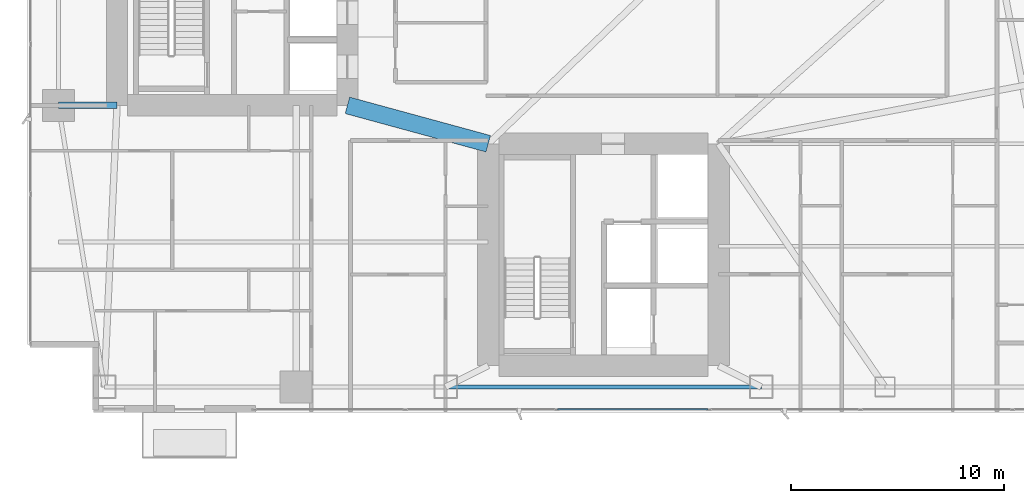
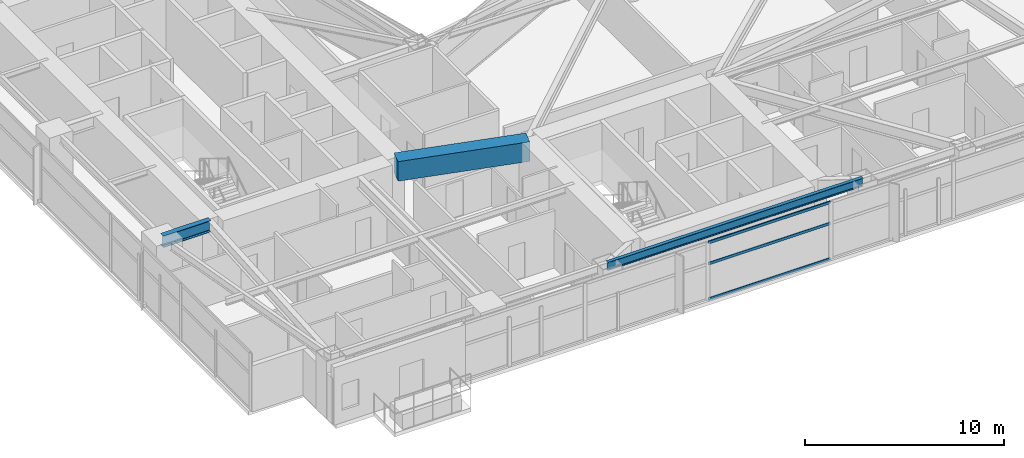
# One storey, part 6 of 28: 3 beams, 3 members, 1 element without a shape of its own.
"""IFC4 building model written with IfcOpenShell, lengths in metres."""

from ifc_helpers import new_model, si_unit, direction, frame, origin, origin_2d, place, context, subcontext, project, spatial, rectangle, hollow_rectangle, i_section, extrude, material, layer, layer_set, material_profile, profile_set, type_object, element, aggregate, save


model = new_model("IFC4")

# Units and contexts
model_context = context("Model", 3, precision=1e-05, world=origin(), true_north=direction((0.0, 1.0)))
body_context = subcontext(model_context, "Body", "Model", "MODEL_VIEW")
ifc_project = project(units=[si_unit("LENGTHUNIT", "METRE"), si_unit("AREAUNIT", "SQUARE_METRE"), si_unit("VOLUMEUNIT", "CUBIC_METRE"), si_unit("PLANEANGLEUNIT", "RADIAN"), si_unit("MASSUNIT", "GRAM", prefix="KILO")], contexts=[model_context])

# Site, building, storey
site_placement = place(None, origin())
site = spatial("IfcSite", under=ifc_project, at=site_placement, CompositionType="ELEMENT")
building_placement = place(site_placement, origin())
building = spatial("IfcBuilding", under=site, at=building_placement, Name="Calvorn Quay Hotel", CompositionType="ELEMENT")
storey_placement = place(building_placement, frame((0.0, 0.0, 88.800048828125)))
storey = spatial("IfcBuildingStorey", under=building, at=storey_placement, Name="L21", CompositionType="ELEMENT", Elevation=88.800048828125)

# Beams
ifc_material_1 = material(Name="Steel Q390GJC", Category="steel")
ifc_material_profile_1 = material_profile(ifc_material_1, i_section(OverallWidth=0.300048828125, OverallDepth=0.699951171875, WebThickness=0.012939453125, FlangeThickness=0.02392578125, FilletRadius=0.02392578125, at=origin_2d()), Name="HN700x300x13x24")
ifc_profile_set_1 = profile_set([ifc_material_profile_1], Name="Steel Q390GJC")
beam_type_1 = type_object("IfcBeamType", Name="BM-GIRD-MAIN", PredefinedType="BEAM", material=ifc_profile_set_1)
beam_1_placement = place(storey_placement, frame((1.449951171875, 16.800048828125, 3.169921875), z_axis=(1.0, 0.0, 0.0), x_axis=(0.0, 1.0, 0.0)))
element("IfcBeam", 1, at=beam_1_placement, inside=storey, type_object=beam_type_1, Name="Beam BG-L21-W1", PredefinedType="BEAM", context=body_context, shape_type="SweptSolid", body=[
    extrude(i_section(OverallWidth=0.300048828125, OverallDepth=0.699951171875, WebThickness=0.012939453125, FlangeThickness=0.02392578125, FilletRadius=0.02392578125, at=origin_2d()), origin(), (0.0, 0.0, 1.0), 2.75),
])
ifc_material_2 = material(Name="Concrete C60", Category="concrete")
ifc_material_profile_2 = material_profile(ifc_material_2, rectangle(XDim=0.800048828125, YDim=1.199951171875, at=origin_2d()), Name="RCB800x1200")
ifc_profile_set_2 = profile_set([ifc_material_profile_2], Name="Concrete C60")
beam_type_2 = type_object("IfcBeamType", Name="BM-RC-LINK-800x1200", PredefinedType="BEAM", material=ifc_profile_set_2)
beam_2_placement = place(storey_placement, frame((15.0, 16.800048828125, 2.919921875), z_axis=(0.964762997686, -0.263120425462, 0.0), x_axis=(0.263120425462, 0.964762997686, 0.0)))
element("IfcBeam", 2, at=beam_2_placement, inside=storey, type_object=beam_type_2, Name="Beam BCL-L21-01", PredefinedType="BEAM", context=body_context, shape_type="SweptSolid", body=[
    extrude(rectangle(XDim=0.800048828125, YDim=1.199951171875, at=origin_2d()), origin(), (0.0, 0.0, 1.0), 6.841064453125),
])
ifc_material_3 = material(Name="Steel Q355B", Category="steel")
ifc_material_profile_3 = material_profile(ifc_material_3, i_section(OverallWidth=0.199951171875, OverallDepth=0.5, WebThickness=0.010009765625, FlangeThickness=0.01611328125, FilletRadius=0.01611328125, at=origin_2d()), Name="HN500x200x10x16")
ifc_profile_set_3 = profile_set([ifc_material_profile_3], Name="Steel Q355B")
beam_type_3 = type_object("IfcBeamType", Name="BM-SPANDREL-Z1", PredefinedType="SPANDREL", material=ifc_profile_set_3)
beam_3_placement = place(storey_placement, frame((19.60009765625, 3.60009765625, 3.27001953125), z_axis=(1.0, 0.0, 0.0), x_axis=(0.0, 1.0, 0.0)))
element("IfcBeam", 3, at=beam_3_placement, inside=storey, type_object=beam_type_3, Name="Beam BSP-L21-S3", PredefinedType="SPANDREL", context=body_context, shape_type="SweptSolid", body=[
    extrude(i_section(OverallWidth=0.199951171875, OverallDepth=0.5, WebThickness=0.010009765625, FlangeThickness=0.01611328125, FilletRadius=0.01611328125, at=origin_2d()), origin(), (0.0, 0.0, 1.0), 14.7998046875),
])

# Curtain wall, members
ifc_material_4 = material(Name="Pale Anodised Aluminium and Low-E Glass", Category="aluminium")
ifc_layer = layer(ifc_material_4, 0.219970703125)
ifc_layer_set = layer_set([ifc_layer], Name="CW-SYS-Z1")
curtain_wall_type = type_object("IfcCurtainWallType", Name="CW-SYS-Z1", PredefinedType="NOTDEFINED", material=ifc_layer_set)
curtain_wall_placement = place(storey_placement, origin())
curtain_wall = element("IfcCurtainWall", 4, at=curtain_wall_placement, inside=storey, type_object=curtain_wall_type, Name="Tower South Waterfront Curtain Wall (L21)", PredefinedType="NOTDEFINED")
ifc_material_5 = material(Name="Pale Anodised Aluminium 6063-T6", Category="aluminium")
ifc_material_profile_4 = material_profile(ifc_material_5, hollow_rectangle(XDim=0.06494140625, YDim=0.1650390625, WallThickness=0.00341796875, at=origin_2d()), Name="ALU-T165x65x3.5")
ifc_profile_set_4 = profile_set([ifc_material_profile_4], Name="Pale Anodised Aluminium 6063-T6")
member_type = type_object("IfcMemberType", Name="CW-SYS-Z1-TRN", PredefinedType="USERDEFINED", material=ifc_profile_set_4)
member_1_placement = place(storey_placement, frame((24.858642578125, 2.550048828125, 0.030029296875), z_axis=(1.0, 0.0, 0.0), x_axis=(0.0, 1.0, 0.0)))
member_1 = element("IfcMember", 5, at=member_1_placement, type_object=member_type, Name="CW-L21-S transom 3.1", ObjectType="TRANSOM", PredefinedType="USERDEFINED", context=body_context, shape_type="SweptSolid", body=[
    extrude(hollow_rectangle(XDim=0.06494140625, YDim=0.1650390625, WallThickness=0.00341796875, at=origin_2d()), origin(), (0.0, 0.0, 1.0), 7.05419921875),
])
member_2_placement = place(storey_placement, frame((24.858642578125, 2.550048828125, 2.199951171875), z_axis=(1.0, 0.0, 0.0), x_axis=(0.0, 1.0, 0.0)))
member_2 = element("IfcMember", 6, at=member_2_placement, type_object=member_type, Name="CW-L21-S transom 3.2", ObjectType="TRANSOM", PredefinedType="USERDEFINED", context=body_context, shape_type="SweptSolid", body=[
    extrude(hollow_rectangle(XDim=0.06494140625, YDim=0.1650390625, WallThickness=0.00341796875, at=origin_2d()), origin(), (0.0, 0.0, 1.0), 7.05419921875),
])
member_3_placement = place(storey_placement, frame((24.858642578125, 2.550048828125, 3.489990234375), z_axis=(1.0, 0.0, 0.0), x_axis=(0.0, 1.0, 0.0)))
member_3 = element("IfcMember", 7, at=member_3_placement, type_object=member_type, Name="CW-L21-S transom 3.3", ObjectType="TRANSOM", PredefinedType="USERDEFINED", context=body_context, shape_type="SweptSolid", body=[
    extrude(hollow_rectangle(XDim=0.06494140625, YDim=0.1650390625, WallThickness=0.00341796875, at=origin_2d()), origin(), (0.0, 0.0, 1.0), 7.05419921875),
])
aggregate(curtain_wall, [member_1, member_2, member_3])

save(model, "model.ifc")
